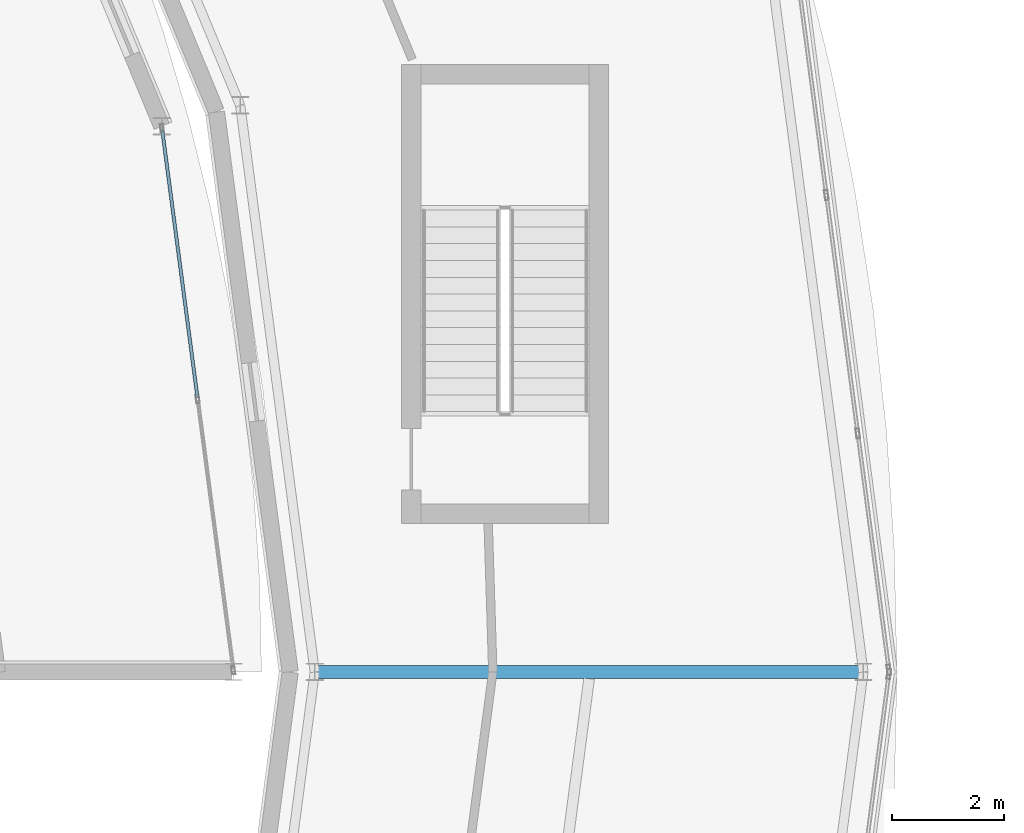
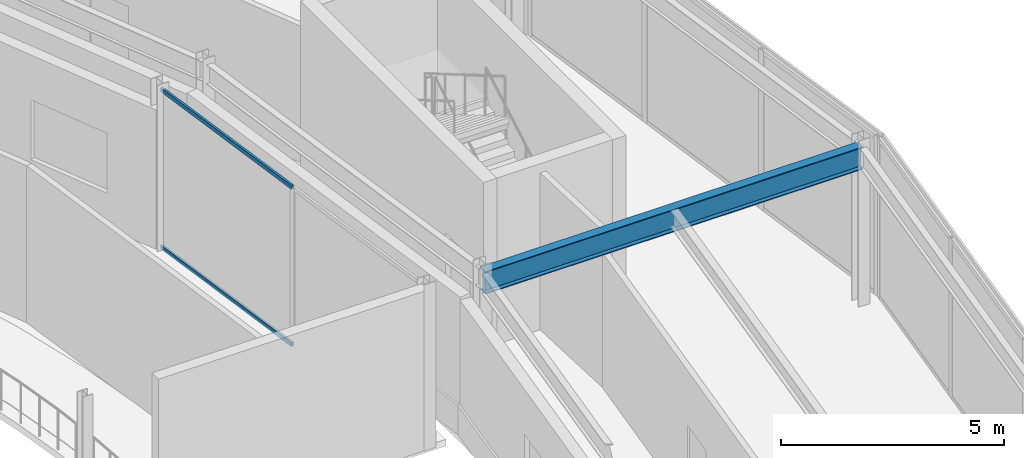
# One storey, part 27 of 116: 2 members, 1 beam, 1 element without a shape of its own.
"""IFC4 building model written with IfcOpenShell, lengths in metres."""

from ifc_helpers import new_model, si_unit, direction, frame, origin, origin_2d, place, context, subcontext, project, spatial, hollow_rectangle, i_section, extrude, material, material_profile, profile_set, type_object, element, aggregate, save


model = new_model("IFC4")

# Units and contexts
model_context = context("Model", 3, precision=1e-05, world=origin(), true_north=direction((0.0, 1.0)))
body_context = subcontext(model_context, "Body", "Model", "MODEL_VIEW")
ifc_project = project(units=[si_unit("LENGTHUNIT", "METRE"), si_unit("AREAUNIT", "SQUARE_METRE"), si_unit("VOLUMEUNIT", "CUBIC_METRE"), si_unit("PLANEANGLEUNIT", "RADIAN"), si_unit("MASSUNIT", "GRAM", prefix="KILO")], contexts=[model_context])

# Site, building, storey
site_placement = place(None, origin())
site = spatial("IfcSite", under=ifc_project, at=site_placement, CompositionType="ELEMENT")
building_placement = place(site_placement, origin())
building = spatial("IfcBuilding", under=site, at=building_placement, Name="Almandine Court Research Institute", CompositionType="ELEMENT")
storey_placement = place(building_placement, frame((0.0, 0.0, 14.35009765625)))
storey = spatial("IfcBuildingStorey", under=building, at=storey_placement, Name="L03", CompositionType="ELEMENT", Elevation=14.35009765625)

# Beam
ifc_material_1 = material(Name="Steel ASTM A992 Grade 50", Category="steel")
ifc_material_profile_1 = material_profile(ifc_material_1, i_section(OverallWidth=0.22998046875, OverallDepth=0.616943359375, WebThickness=0.012939453125, FlangeThickness=0.02197265625, at=origin_2d()), Name="W610x140")
ifc_profile_set_1 = profile_set([ifc_material_profile_1], Name="Steel ASTM A992 Grade 50")
beam_type = type_object("IfcBeamType", Name="Beam-G-02", PredefinedType="BEAM", material=ifc_profile_set_1)
beam_placement = place(storey_placement, frame((126.10009765625, 56.0, 4.014892578125), z_axis=(1.0, 0.0, 0.0), x_axis=(0.0, 1.0, 0.0)))
element("IfcBeam", 1, at=beam_placement, inside=storey, type_object=beam_type, Name="L03 Drum Radial Girder 00", PredefinedType="BEAM", context=body_context, shape_type="SweptSolid", body=[
    extrude(i_section(OverallWidth=0.22998046875, OverallDepth=0.616943359375, WebThickness=0.012939453125, FlangeThickness=0.02197265625, at=origin_2d()), origin(), (0.0, 0.0, 1.0), 9.7998046875),
])

# Curtain wall, members
ifc_material_2 = material(Name="Unitised Curtain Wall Framing and Solar Glazing", Category="glass")
curtain_wall_type = type_object("IfcCurtainWallType", Name="CW-CWG-24", PredefinedType="USERDEFINED", material=ifc_material_2)
curtain_wall_placement = place(storey_placement, origin())
curtain_wall = element("IfcCurtainWall", 2, at=curtain_wall_placement, inside=storey, type_object=curtain_wall_type, Name="L03 Interaction Atrium Perimeter Curtain Wall 00", ObjectType="UNITISED GLAZING", PredefinedType="USERDEFINED")
ifc_material_3 = material(Name="Anodised Aluminium AW-6063-T6", Category="aluminium")
ifc_material_profile_2 = material_profile(ifc_material_3, hollow_rectangle(XDim=0.06005859375, YDim=0.110107421875, WallThickness=0.00390625, at=origin_2d()), Name="ALU RHS 60x110x4")
ifc_profile_set_2 = profile_set([ifc_material_profile_2], Name="Anodised Aluminium AW-6063-T6")
member_type = type_object("IfcMemberType", Name="CWTrn-60x110", PredefinedType="NOTDEFINED", material=ifc_profile_set_2)
member_1_placement = place(storey_placement, frame((123.375732421875, 65.681396484375, 0.02978515625), z_axis=(0.130571116357, -0.991438945963, 0.0), x_axis=(0.991438945963, 0.130571116357, 0.0)))
member_1 = element("IfcMember", 3, at=member_1_placement, type_object=member_type, Name="CWG-24 transom 1.1", ObjectType="TRANSOM", PredefinedType="USERDEFINED", context=body_context, shape_type="SweptSolid", body=[
    extrude(hollow_rectangle(XDim=0.06005859375, YDim=0.110107421875, WallThickness=0.00390625, at=origin_2d()), origin(), (0.0, 0.0, 1.0), 4.8203125),
])
member_2_placement = place(storey_placement, frame((123.375732421875, 65.681396484375, 4.33984375), z_axis=(0.130571116357, -0.991438945963, 0.0), x_axis=(0.991438945963, 0.130571116357, 0.0)))
member_2 = element("IfcMember", 4, at=member_2_placement, type_object=member_type, Name="CWG-24 transom 1.2", ObjectType="TRANSOM", PredefinedType="USERDEFINED", context=body_context, shape_type="SweptSolid", body=[
    extrude(hollow_rectangle(XDim=0.06005859375, YDim=0.110107421875, WallThickness=0.00390625, at=origin_2d()), origin(), (0.0, 0.0, 1.0), 4.8203125),
])
aggregate(curtain_wall, [member_1, member_2])

save(model, "model.ifc")
